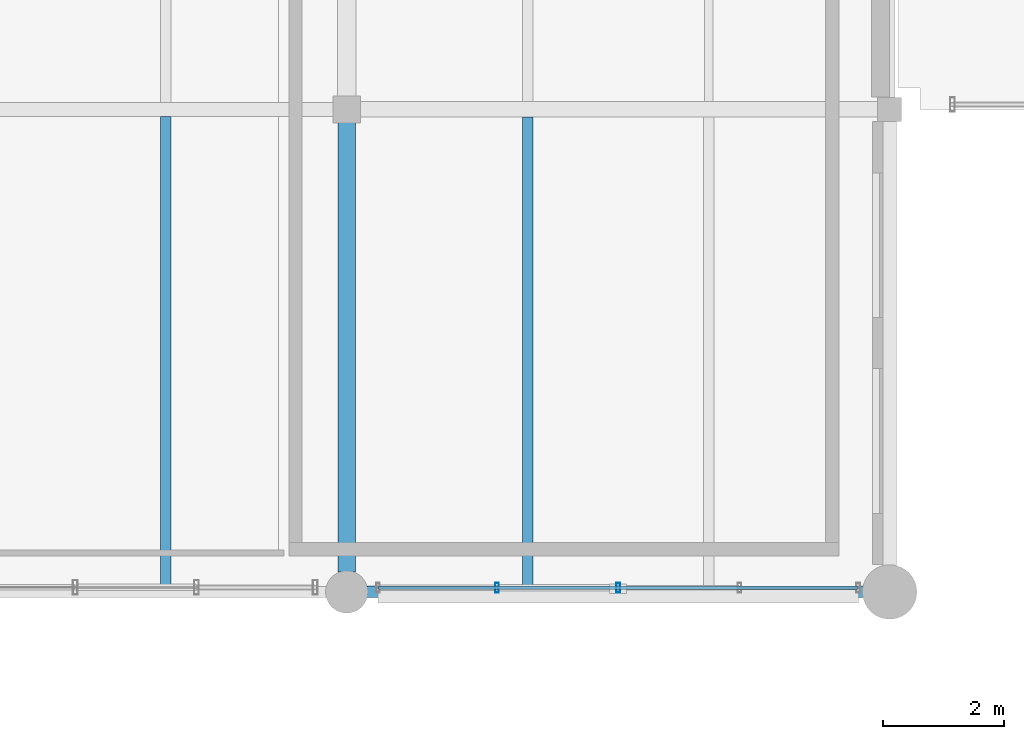
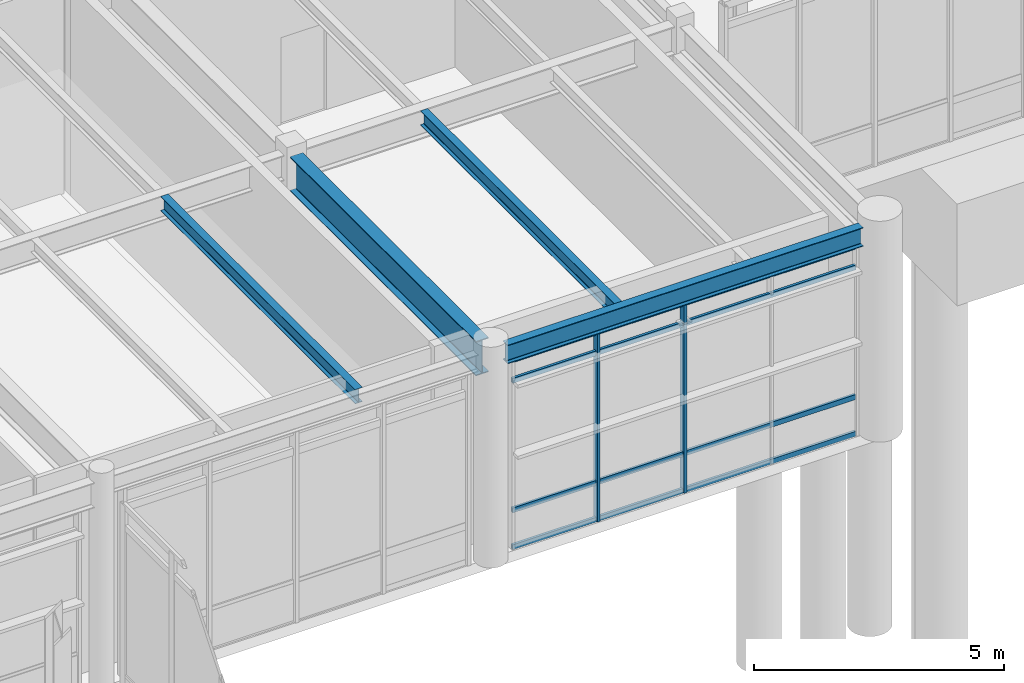
# One storey, part 92 of 203: 6 members, 4 beams, 1 element without a shape of its own.
"""IFC4 building model written with IfcOpenShell, lengths in metres."""

from ifc_helpers import new_model, si_unit, direction, frame, origin, origin_2d, place, context, subcontext, project, spatial, hollow_rectangle, i_section, extrude, material, material_profile, profile_set, type_object, element, aggregate, save


model = new_model("IFC4")

# Units and contexts
model_context = context("Model", 3, precision=1e-05, world=origin(), true_north=direction((0.0, 1.0)))
body_context = subcontext(model_context, "Body", "Model", "MODEL_VIEW")
ifc_project = project(units=[si_unit("LENGTHUNIT", "METRE"), si_unit("AREAUNIT", "SQUARE_METRE"), si_unit("VOLUMEUNIT", "CUBIC_METRE"), si_unit("PLANEANGLEUNIT", "RADIAN"), si_unit("MASSUNIT", "GRAM", prefix="KILO"), si_unit("THERMODYNAMICTEMPERATUREUNIT", "KELVIN"), si_unit("POWERUNIT", "WATT")], contexts=[model_context])

# Site, building, storey
site_placement = place(None, origin())
site = spatial("IfcSite", under=ifc_project, at=site_placement, CompositionType="ELEMENT")
building_placement = place(site_placement, origin())
building = spatial("IfcBuilding", under=site, at=building_placement, Name="Tepalcoro Natatorium and Aquatics Centre", CompositionType="ELEMENT")
storey_placement = place(building_placement, origin())
storey = spatial("IfcBuildingStorey", under=building, at=storey_placement, Name="L00", CompositionType="ELEMENT", Elevation=0.0)

# Beam
ifc_material_1 = material(Name="Steel ASTM A992 Grade 50 (Fy 345 MPa)", Category="steel")
ifc_material_profile_1 = material_profile(ifc_material_1, i_section(OverallWidth=0.2919921875, OverallDepth=0.845947265625, WebThickness=0.014892578125, FlangeThickness=0.02392578125, FilletRadius=0.013916015625, at=origin_2d()), Name="W33X141")
ifc_profile_set_1 = profile_set([ifc_material_profile_1], Name="Steel ASTM A992 Grade 50 (Fy 345 MPa)")
beam_type_1 = type_object("IfcBeamType", Name="BM_W33x141", PredefinedType="BEAM", material=ifc_profile_set_1)
beam_1_placement = place(storey_placement, frame((80.0, 86.3349609375, 4.721923828125), z_axis=(0.0, 1.0, 0.0), x_axis=(-1.0, 0.0, 0.0)))
element("IfcBeam", 1, at=beam_1_placement, inside=storey, type_object=beam_type_1, Name="V4 L00 Grid Girder Y", PredefinedType="BEAM", context=body_context, shape_type="SweptSolid", body=[
    extrude(i_section(OverallWidth=0.2919921875, OverallDepth=0.845947265625, WebThickness=0.014892578125, FlangeThickness=0.02392578125, FilletRadius=0.013916015625, at=origin_2d()), origin(), (0.0, 0.0, 1.0), 7.455078125),
])

# Curtain wall, members
ifc_material_2 = material(Name="Bronze-Anodised Extruded Aluminium Alloy EN AW-6063 T6", Category="aluminium")
curtain_wall_type = type_object("IfcCurtainWallType", Name="CW_LEAN_T2_EW", PredefinedType="USERDEFINED", material=ifc_material_2)
curtain_wall_placement = place(storey_placement, origin())
curtain_wall = element("IfcCurtainWall", 2, at=curtain_wall_placement, inside=storey, type_object=curtain_wall_type, Name="V4 L00 S Unitised Curtain Wall Bay 9", ObjectType="FACETED SOLAR GLAZING", PredefinedType="USERDEFINED")
ifc_material_profile_2 = material_profile(ifc_material_2, hollow_rectangle(XDim=0.06005859375, YDim=0.159912109375, WallThickness=0.00390625, at=origin_2d()), Name="AL60X160X4")
ifc_profile_set_2 = profile_set([ifc_material_profile_2], Name="Bronze-Anodised Extruded Aluminium Alloy EN AW-6063 T6")
member_type_1 = type_object("IfcMemberType", Name="CW_MUL_60x160", PredefinedType="MULLION", material=ifc_profile_set_2)
member_1_placement = place(storey_placement, frame((82.489990234375, 86.0712890625, 0.02001953125), z_axis=(0.0, 0.0, 1.0), x_axis=(1.0, 0.0, 0.0)))
member_1 = element("IfcMember", 3, at=member_1_placement, type_object=member_type_1, Name="CW_LEAN_T2_EW Curtain Wall Mullion", PredefinedType="MULLION", context=body_context, shape_type="SweptSolid", body=[
    extrude(hollow_rectangle(XDim=0.06005859375, YDim=0.159912109375, WallThickness=0.00390625, at=origin_2d()), origin(), (0.0, 0.0, 1.0), 4.6298828125),
])
member_2_placement = place(storey_placement, frame((84.5, 86.0712890625, 0.02001953125), z_axis=(0.0, 0.0, 1.0), x_axis=(1.0, 0.0, 0.0)))
member_2 = element("IfcMember", 4, at=member_2_placement, type_object=member_type_1, Name="CW_LEAN_T2_EW Curtain Wall Mullion", PredefinedType="MULLION", context=body_context, shape_type="SweptSolid", body=[
    extrude(hollow_rectangle(XDim=0.06005859375, YDim=0.159912109375, WallThickness=0.00390625, at=origin_2d()), origin(), (0.0, 0.0, 1.0), 4.6298828125),
])
ifc_material_profile_3 = material_profile(ifc_material_2, hollow_rectangle(XDim=0.06005859375, YDim=0.1201171875, WallThickness=0.00390625, at=origin_2d()), Name="AL60X120X4")
ifc_profile_set_3 = profile_set([ifc_material_profile_3], Name="Bronze-Anodised Extruded Aluminium Alloy EN AW-6063 T6")
member_type_2 = type_object("IfcMemberType", Name="CW_TRN_60x120", PredefinedType="USERDEFINED", material=ifc_profile_set_3)
member_3_placement = place(storey_placement, frame((80.530029296875, 86.0712890625, 0.050048828125), z_axis=(1.0, 0.0, 0.0), x_axis=(0.0, 1.0, 0.0)))
member_3 = element("IfcMember", 5, at=member_3_placement, type_object=member_type_2, Name="CW_LEAN_T2_EW Curtain Wall Transom", ObjectType="TRANSOM", PredefinedType="USERDEFINED", context=body_context, shape_type="SweptSolid", body=[
    extrude(hollow_rectangle(XDim=0.06005859375, YDim=0.1201171875, WallThickness=0.00390625, at=origin_2d()), origin(), (0.0, 0.0, 1.0), 7.93994140625),
])
member_4_placement = place(storey_placement, frame((80.530029296875, 86.0712890625, 0.949951171875), z_axis=(1.0, 0.0, 0.0), x_axis=(0.0, 1.0, 0.0)))
member_4 = element("IfcMember", 6, at=member_4_placement, type_object=member_type_2, Name="CW_LEAN_T2_EW Curtain Wall Transom", ObjectType="TRANSOM", PredefinedType="USERDEFINED", context=body_context, shape_type="SweptSolid", body=[
    extrude(hollow_rectangle(XDim=0.06005859375, YDim=0.1201171875, WallThickness=0.00390625, at=origin_2d()), origin(), (0.0, 0.0, 1.0), 7.93994140625),
])
member_5_placement = place(storey_placement, frame((80.530029296875, 86.0712890625, 4.1201171875), z_axis=(1.0, 0.0, 0.0), x_axis=(0.0, 1.0, 0.0)))
member_5 = element("IfcMember", 7, at=member_5_placement, type_object=member_type_2, Name="CW_LEAN_T2_EW Curtain Wall Transom", ObjectType="TRANSOM", PredefinedType="USERDEFINED", context=body_context, shape_type="SweptSolid", body=[
    extrude(hollow_rectangle(XDim=0.06005859375, YDim=0.1201171875, WallThickness=0.00390625, at=origin_2d()), origin(), (0.0, 0.0, 1.0), 7.93994140625),
])
member_6_placement = place(storey_placement, frame((80.530029296875, 86.0712890625, 4.6201171875), z_axis=(1.0, 0.0, 0.0), x_axis=(0.0, 1.0, 0.0)))
member_6 = element("IfcMember", 8, at=member_6_placement, type_object=member_type_2, Name="CW_LEAN_T2_EW Curtain Wall Transom", ObjectType="TRANSOM", PredefinedType="USERDEFINED", context=body_context, shape_type="SweptSolid", body=[
    extrude(hollow_rectangle(XDim=0.06005859375, YDim=0.1201171875, WallThickness=0.00390625, at=origin_2d()), origin(), (0.0, 0.0, 1.0), 7.93994140625),
])
aggregate(curtain_wall, [member_1, member_2, member_3, member_4, member_5, member_6])

# Beams
ifc_material_profile_4 = material_profile(ifc_material_1, i_section(OverallWidth=0.1708984375, OverallDepth=0.35107421875, WebThickness=0.007080078125, FlangeThickness=0.010009765625, FilletRadius=0.013916015625, at=origin_2d()), Name="W14X30")
ifc_profile_set_4 = profile_set([ifc_material_profile_4], Name="Steel ASTM A992 Grade 50 (Fy 345 MPa)")
beam_type_2 = type_object("IfcBeamType", Name="JS_W14x30", PredefinedType="JOIST", material=ifc_profile_set_4)
beam_2_placement = place(storey_placement, frame((77.0, 86.090087890625, 4.969482421875), z_axis=(0.0, 1.0, 0.0), x_axis=(-1.0, 0.0, 0.0)))
element("IfcBeam", 9, at=beam_2_placement, inside=storey, type_object=beam_type_2, Name="V4 L00 Floor Joist", PredefinedType="JOIST", context=body_context, shape_type="SweptSolid", body=[
    extrude(i_section(OverallWidth=0.1708984375, OverallDepth=0.35107421875, WebThickness=0.007080078125, FlangeThickness=0.010009765625, FilletRadius=0.013916015625, at=origin_2d()), origin(), (0.0, 0.0, 1.0), 7.794921875),
])
beam_3_placement = place(storey_placement, frame((83.0, 86.095458984375, 4.969482421875), z_axis=(0.0, 1.0, 0.0), x_axis=(-1.0, 0.0, 0.0)))
element("IfcBeam", 10, at=beam_3_placement, inside=storey, type_object=beam_type_2, Name="V4 L00 Floor Joist", PredefinedType="JOIST", context=body_context, shape_type="SweptSolid", body=[
    extrude(i_section(OverallWidth=0.1708984375, OverallDepth=0.35107421875, WebThickness=0.007080078125, FlangeThickness=0.010009765625, FilletRadius=0.013916015625, at=origin_2d()), origin(), (0.0, 0.0, 1.0), 7.777587890625),
])
ifc_material_profile_5 = material_profile(ifc_material_1, i_section(OverallWidth=0.19091796875, OverallDepth=0.4599609375, WebThickness=0.010009765625, FlangeThickness=0.01611328125, FilletRadius=0.013916015625, at=origin_2d()), Name="W18X55")
ifc_profile_set_5 = profile_set([ifc_material_profile_5], Name="Steel ASTM A992 Grade 50 (Fy 345 MPa)")
beam_type_3 = type_object("IfcBeamType", Name="SP_W18x55", PredefinedType="SPANDREL", material=ifc_profile_set_5)
beam_4_placement = place(storey_placement, frame((80.3349609375, 86.0, 4.9150390625), z_axis=(1.0, 0.0, 0.0), x_axis=(0.0, 1.0, 0.0)))
element("IfcBeam", 11, at=beam_4_placement, inside=storey, type_object=beam_type_3, Name="V4 L00 Grid Girder X", PredefinedType="SPANDREL", context=body_context, shape_type="SweptSolid", body=[
    extrude(i_section(OverallWidth=0.19091796875, OverallDepth=0.4599609375, WebThickness=0.010009765625, FlangeThickness=0.01611328125, FilletRadius=0.013916015625, at=origin_2d()), origin(), (0.0, 0.0, 1.0), 8.22998046875),
])

save(model, "model.ifc")
